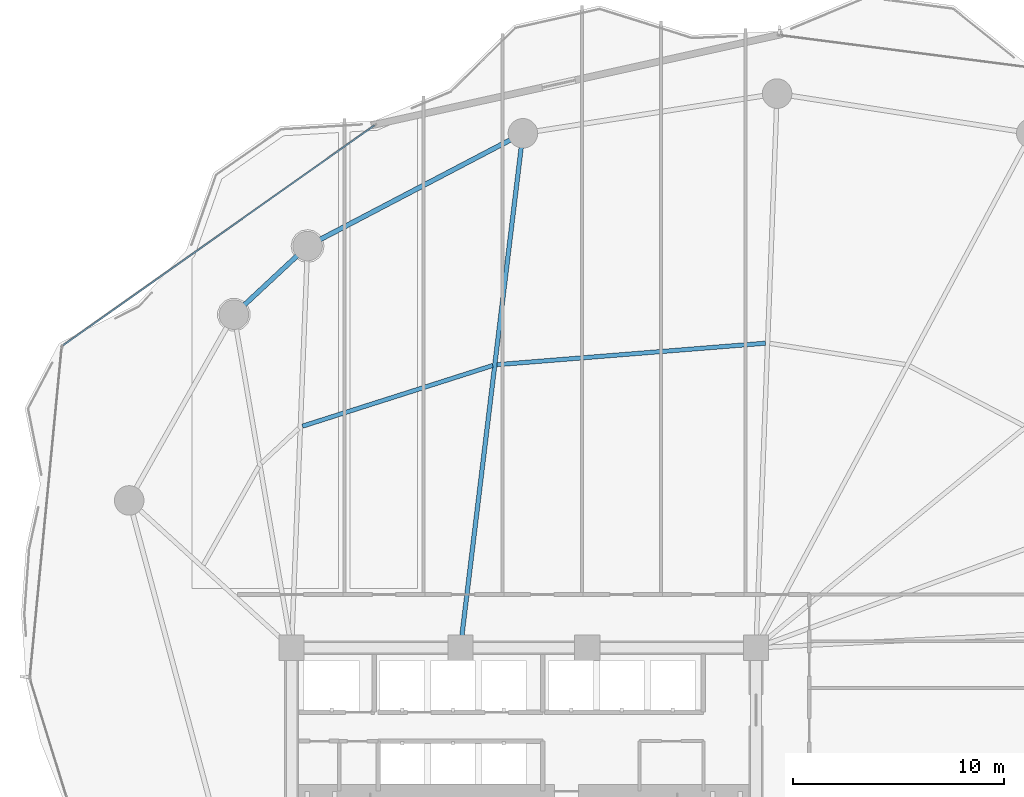
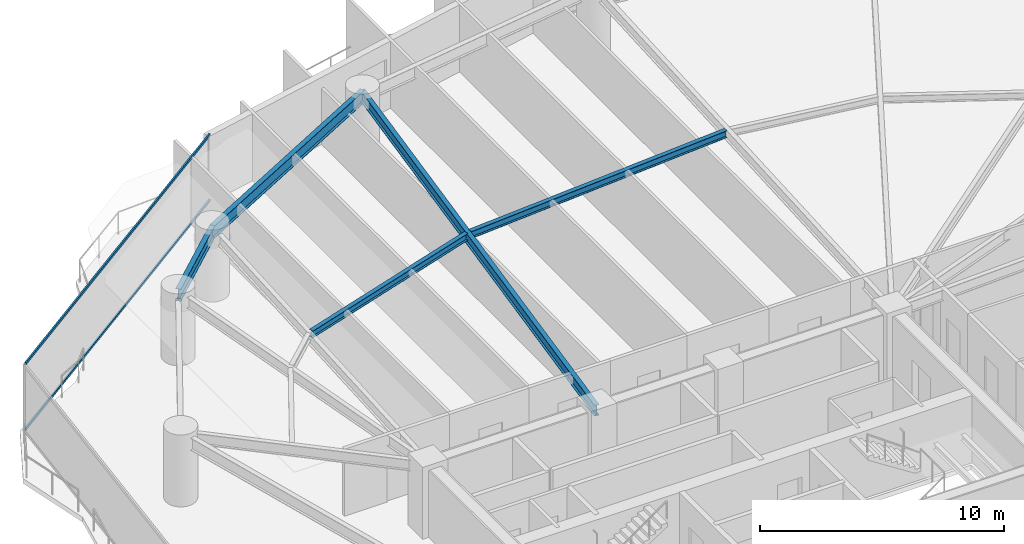
# One storey, part 16 of 32: 5 beams, 2 members, 1 element without a shape of its own.
"""IFC4 building model written with IfcOpenShell, lengths in metres."""

from ifc_helpers import new_model, si_unit, direction, frame, origin, origin_2d, place, context, subcontext, project, spatial, hollow_rectangle, i_section, extrude, material, layer, layer_set, material_profile, profile_set, type_object, element, aggregate, save


model = new_model("IFC4")

# Units and contexts
model_context = context("Model", 3, precision=1e-05, world=origin(), true_north=direction((0.0, 1.0)))
body_context = subcontext(model_context, "Body", "Model", "MODEL_VIEW")
ifc_project = project(units=[si_unit("LENGTHUNIT", "METRE"), si_unit("AREAUNIT", "SQUARE_METRE"), si_unit("VOLUMEUNIT", "CUBIC_METRE"), si_unit("PLANEANGLEUNIT", "RADIAN"), si_unit("MASSUNIT", "GRAM", prefix="KILO")], contexts=[model_context])

# Site, building, storey
site_placement = place(None, origin())
site = spatial("IfcSite", under=ifc_project, at=site_placement, CompositionType="ELEMENT")
building_placement = place(site_placement, origin())
building = spatial("IfcBuilding", under=site, at=building_placement, Name="Kazevale Care Tower and Concert Hall", CompositionType="ELEMENT")
storey_placement = place(building_placement, frame((0.0, 0.0, 34.800048828125)))
storey = spatial("IfcBuildingStorey", under=building, at=storey_placement, Name="L08", CompositionType="ELEMENT", Elevation=34.800048828125)

# Curtain wall, members
ifc_material_1 = material(Name="Aluminium 6063-T6 and Low-E Glass", Category="aluminium")
ifc_layer = layer(ifc_material_1, 0.179931640625)
ifc_layer_set = layer_set([ifc_layer], Name="Aluminium 6063-T6 and Low-E Glass")
curtain_wall_type = type_object("IfcCurtainWallType", Name="Convex Recessed Sunroom Curtain Wall CW-3", PredefinedType="NOTDEFINED", material=ifc_layer_set)
curtain_wall_placement = place(storey_placement, origin())
curtain_wall = element("IfcCurtainWall", 1, at=curtain_wall_placement, inside=storey, type_object=curtain_wall_type, Name="cw:L08:f14", PredefinedType="NOTDEFINED")
ifc_material_2 = material(Name="Aluminium 6063-T6", Category="aluminium")
ifc_material_profile_1 = material_profile(ifc_material_2, hollow_rectangle(XDim=0.074951171875, YDim=0.1201171875, WallThickness=0.00390625, at=origin_2d()), Name="ALU75x120x4")
ifc_profile_set_1 = profile_set([ifc_material_profile_1], Name="Aluminium 6063-T6")
member_type = type_object("IfcMemberType", Name="CW-3 Transom ALU75x120x4", PredefinedType="USERDEFINED", material=ifc_profile_set_1)
member_1_placement = place(storey_placement, frame((11.182373046875, 50.729248046875, 0.037353515625), z_axis=(0.816794743967, 0.576928371835, 0.0), x_axis=(-0.576928371835, 0.816794743967, 0.0)))
member_1 = element("IfcMember", 2, at=member_1_placement, type_object=member_type, Name="CW-3 transom 1.1", ObjectType="TRANSOM", PredefinedType="USERDEFINED", context=body_context, shape_type="SweptSolid", body=[
    extrude(hollow_rectangle(XDim=0.074951171875, YDim=0.1201171875, WallThickness=0.00390625, at=origin_2d()), origin(), (0.0, 0.0, 1.0), 18.060302734375),
])
member_2_placement = place(storey_placement, frame((11.182373046875, 50.729248046875, 3.322509765625), z_axis=(0.816794743967, 0.576928371835, 0.0), x_axis=(-0.576928371835, 0.816794743967, 0.0)))
member_2 = element("IfcMember", 3, at=member_2_placement, type_object=member_type, Name="CW-3 transom 1.2", ObjectType="TRANSOM", PredefinedType="USERDEFINED", context=body_context, shape_type="SweptSolid", body=[
    extrude(hollow_rectangle(XDim=0.074951171875, YDim=0.1201171875, WallThickness=0.00390625, at=origin_2d()), origin(), (0.0, 0.0, 1.0), 18.060302734375),
])
aggregate(curtain_wall, [member_1, member_2])

# Beams
ifc_material_3 = material(Name="Steel ASTM A572 Gr 50", Category="steel")
ifc_material_profile_2 = material_profile(ifc_material_3, i_section(OverallWidth=0.2119140625, OverallDepth=0.5439453125, WebThickness=0.01318359375, FlangeThickness=0.021240234375, at=origin_2d()), Name="W530x123")
ifc_profile_set_2 = profile_set([ifc_material_profile_2], Name="Steel ASTM A572 Gr 50")
beam_type_1 = type_object("IfcBeamType", Name="Radial Floor Girder W530x123", PredefinedType="BEAM", material=ifc_profile_set_2)
beam_1_placement = place(storey_placement, frame((30.0, 36.39990234375, 3.087890625), z_axis=(0.120572526662, 0.9927045209, 0.0), x_axis=(-0.9927045209, 0.120572526662, 0.0)))
element("IfcBeam", 4, at=beam_1_placement, inside=storey, type_object=beam_type_1, Name="beam:L08:rad:06", PredefinedType="BEAM", context=body_context, shape_type="SweptSolid", body=[
    extrude(i_section(OverallWidth=0.2119140625, OverallDepth=0.5439453125, WebThickness=0.01318359375, FlangeThickness=0.021240234375, at=origin_2d()), origin(), (0.0, 0.0, 1.0), 24.54931640625),
])
ifc_material_profile_3 = material_profile(ifc_material_3, i_section(OverallWidth=0.22900390625, OverallDepth=0.612060546875, WebThickness=0.011962890625, FlangeThickness=0.01953125, at=origin_2d()), Name="W610x125")
ifc_profile_set_3 = profile_set([ifc_material_profile_3], Name="Steel ASTM A572 Gr 50")
beam_type_2 = type_object("IfcBeamType", Name="Ring Spandrel Beam W610x125", PredefinedType="SPANDREL", material=ifc_profile_set_3)
beam_2_placement = place(storey_placement, frame((32.9599609375, 60.77001953125, 3.053955078125), z_axis=(-0.885929466679, -0.463819986708, 0.0), x_axis=(0.463819986708, -0.885929466679, 0.0)))
element("IfcBeam", 5, at=beam_2_placement, inside=storey, type_object=beam_type_2, Name="beam:L08:ring:06", PredefinedType="SPANDREL", context=body_context, shape_type="SweptSolid", body=[
    extrude(i_section(OverallWidth=0.22900390625, OverallDepth=0.612060546875, WebThickness=0.011962890625, FlangeThickness=0.01953125, at=origin_2d()), origin(), (0.0, 0.0, 1.0), 11.51318359375),
])
beam_3_placement = place(storey_placement, frame((22.760009765625, 55.429931640625, 3.053955078125), z_axis=(-0.731820896228, -0.681497010884, 0.0), x_axis=(0.681497010884, -0.731820896228, 0.0)))
element("IfcBeam", 6, at=beam_3_placement, inside=storey, type_object=beam_type_2, Name="beam:L08:ring:07", PredefinedType="SPANDREL", context=body_context, shape_type="SweptSolid", body=[
    extrude(i_section(OverallWidth=0.22900390625, OverallDepth=0.612060546875, WebThickness=0.011962890625, FlangeThickness=0.01953125, at=origin_2d()), origin(), (0.0, 0.0, 1.0), 4.768798828125),
])
ifc_material_profile_4 = material_profile(ifc_material_3, i_section(OverallWidth=0.205078125, OverallDepth=0.35400390625, WebThickness=0.009521484375, FlangeThickness=0.016845703125, at=origin_2d()), Name="W360x79")
ifc_profile_set_4 = profile_set([ifc_material_profile_4], Name="Steel ASTM A572 Gr 50")
beam_type_3 = type_object("IfcBeamType", Name="Secondary Floor Joist W360x79", PredefinedType="JOIST", material=ifc_profile_set_4)
beam_4_placement = place(storey_placement, frame((44.445068359375, 50.8291015625, 3.182861328125), z_axis=(-0.996814548036, -0.079754353015, 0.0), x_axis=(0.079754353015, -0.996814548036, 0.0)))
element("IfcBeam", 7, at=beam_4_placement, inside=storey, type_object=beam_type_3, Name="beam:L08:joist:05", PredefinedType="JOIST", context=body_context, shape_type="SweptSolid", body=[
    extrude(i_section(OverallWidth=0.205078125, OverallDepth=0.35400390625, WebThickness=0.009521484375, FlangeThickness=0.016845703125, at=origin_2d()), origin(), (0.0, 0.0, 1.0), 12.752685546875),
])
beam_5_placement = place(storey_placement, frame((31.528076171875, 49.77197265625, 3.182861328125), z_axis=(-0.9527054955, -0.303895111584, 0.0), x_axis=(0.303895111584, -0.9527054955, 0.0)))
element("IfcBeam", 8, at=beam_5_placement, inside=storey, type_object=beam_type_3, Name="beam:L08:joist:06", PredefinedType="JOIST", context=body_context, shape_type="SweptSolid", body=[
    extrude(i_section(OverallWidth=0.205078125, OverallDepth=0.35400390625, WebThickness=0.009521484375, FlangeThickness=0.016845703125, at=origin_2d()), origin(), (0.0, 0.0, 1.0), 9.457275390625),
])

save(model, "model.ifc")
